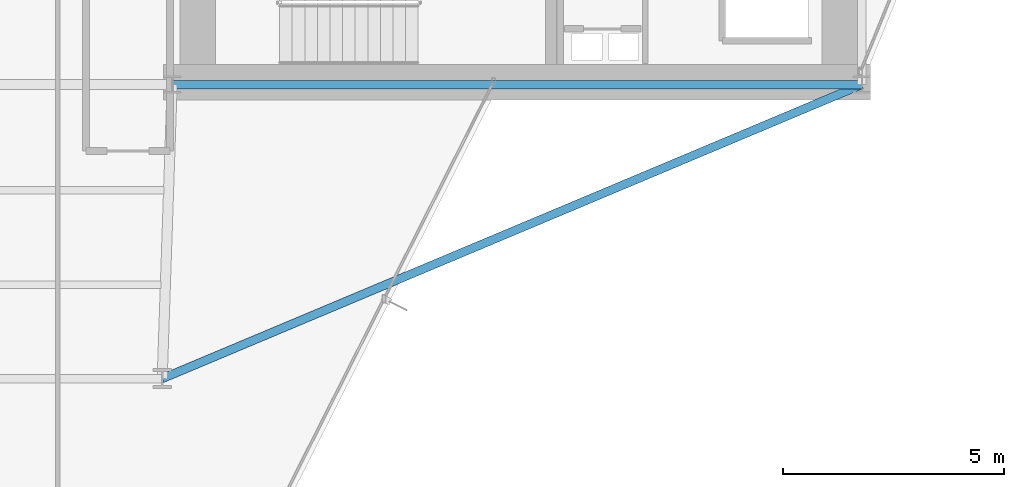
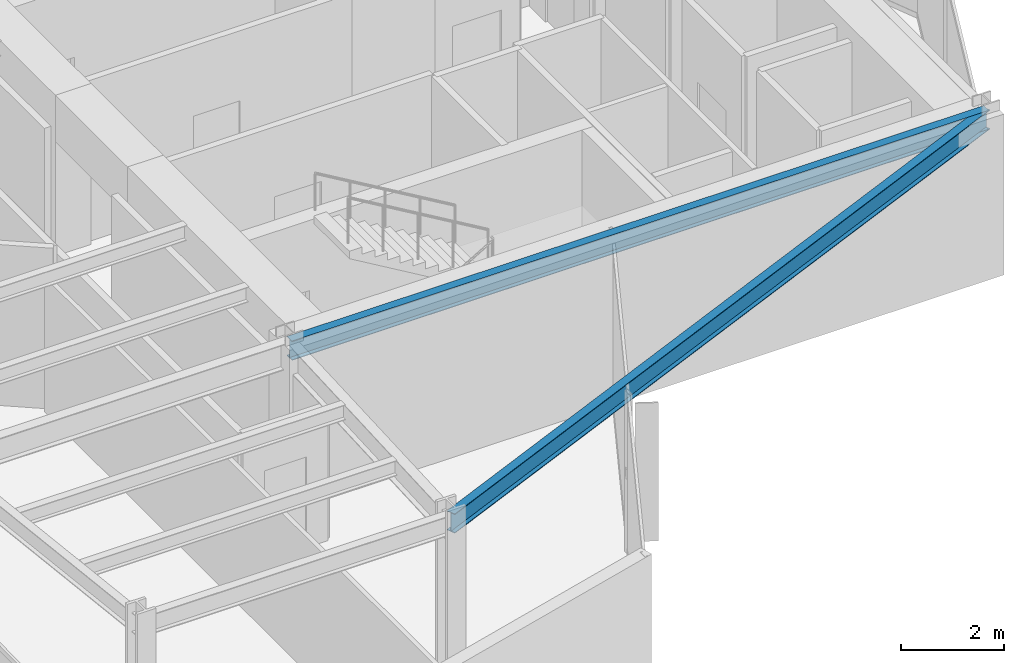
# One storey, part 13 of 25: 2 beams.
"""IFC4 building model written with IfcOpenShell, lengths in metres."""

from ifc_helpers import new_model, si_unit, direction, frame, origin, origin_2d, place, context, subcontext, project, spatial, i_section, extrude, material, material_profile, profile_set, type_object, element, save


model = new_model("IFC4")

# Units and contexts
model_context = context("Model", 3, precision=1e-05, world=origin(), true_north=direction((0.0, 1.0)))
body_context = subcontext(model_context, "Body", "Model", "MODEL_VIEW")
ifc_project = project(units=[si_unit("LENGTHUNIT", "METRE"), si_unit("AREAUNIT", "SQUARE_METRE"), si_unit("VOLUMEUNIT", "CUBIC_METRE"), si_unit("PLANEANGLEUNIT", "RADIAN"), si_unit("MASSUNIT", "GRAM", prefix="KILO")], contexts=[model_context])

# Site, building, storey
site_placement = place(None, origin())
site = spatial("IfcSite", under=ifc_project, at=site_placement, CompositionType="ELEMENT")
building_placement = place(site_placement, origin())
building = spatial("IfcBuilding", under=site, at=building_placement, Name="Veymaron Broadcast Tower", CompositionType="ELEMENT")
storey_placement = place(building_placement, frame((0.0, 0.0, 129.0)))
storey = spatial("IfcBuildingStorey", under=building, at=storey_placement, Name="L29", CompositionType="ELEMENT", Elevation=129.0)

# Beams
ifc_material = material(Name="Structural steel ASTM A992 Gr 50", Category="steel")
ifc_material_profile = material_profile(ifc_material, i_section(OverallWidth=0.19091796875, OverallDepth=0.4599609375, WebThickness=0.010009765625, FlangeThickness=0.01611328125, at=origin_2d()), Name="W460X82")
ifc_profile_set = profile_set([ifc_material_profile], Name="Structural steel ASTM A992 Gr 50")
beam_type = type_object("IfcBeamType", Name="BM-SP1", PredefinedType="SPANDREL", material=ifc_profile_set)
beam_1_placement = place(storey_placement, frame((39.0, 16.0, 3.580078125), z_axis=(1.0, 0.0, 0.0), x_axis=(0.0, 1.0, 0.0)))
element("IfcBeam", 1, at=beam_1_placement, inside=storey, type_object=beam_type, Name="L29 primary structural floor girder", PredefinedType="SPANDREL", context=body_context, shape_type="SweptSolid", body=[
    extrude(i_section(OverallWidth=0.19091796875, OverallDepth=0.4599609375, WebThickness=0.010009765625, FlangeThickness=0.01611328125, at=origin_2d()), origin(), (0.0, 0.0, 1.0), 15.60009765625),
])
beam_2_placement = place(storey_placement, frame((54.60009765625, 16.0, 3.580078125), z_axis=(-0.921913032928, -0.38739690205, 0.0), x_axis=(0.38739690205, -0.921913032928, 0.0)))
element("IfcBeam", 2, at=beam_2_placement, inside=storey, type_object=beam_type, Name="L29 primary structural floor girder", PredefinedType="SPANDREL", context=body_context, shape_type="SweptSolid", body=[
    extrude(i_section(OverallWidth=0.19091796875, OverallDepth=0.4599609375, WebThickness=0.010009765625, FlangeThickness=0.01611328125, at=origin_2d()), origin(), (0.0, 0.0, 1.0), 17.16552734375),
])

save(model, "model.ifc")
